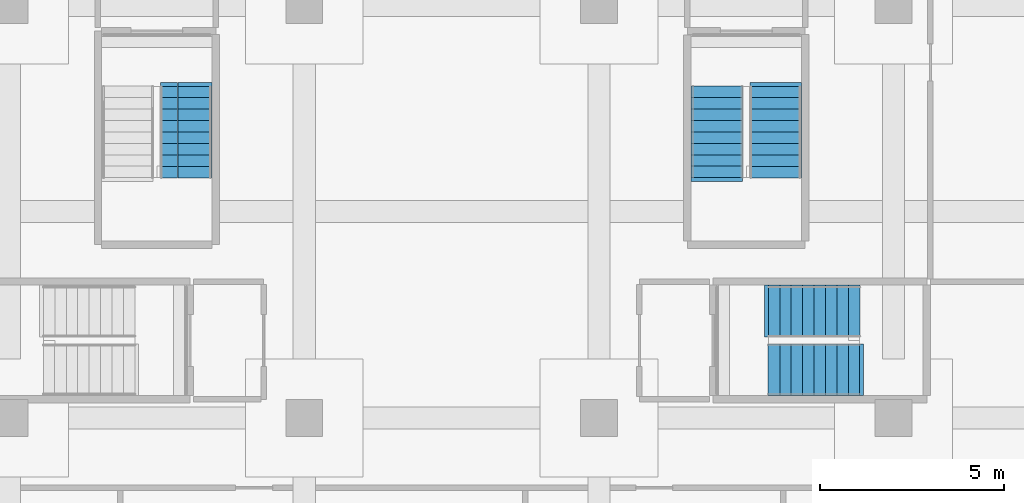
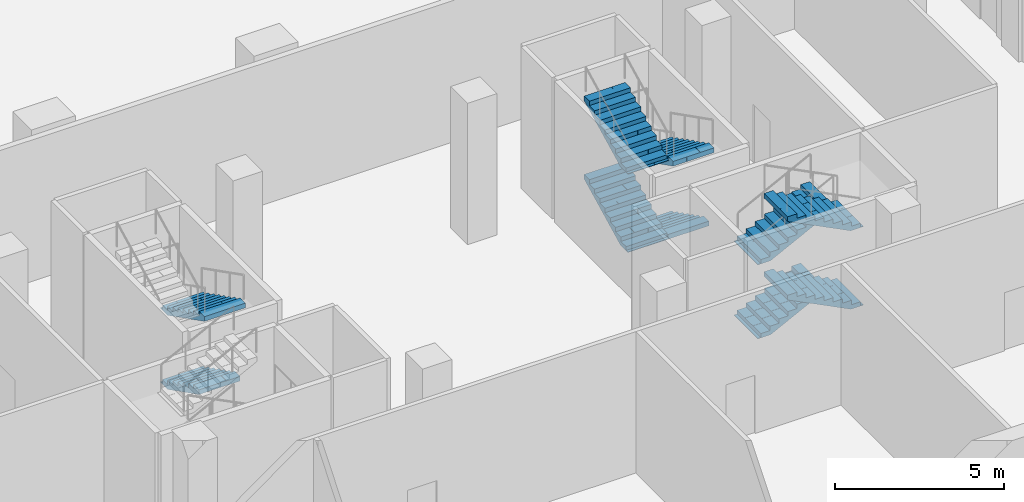
# One storey, part 12 of 20: 10 stair flights, 3 elements without a shape of their own.
"""IFC4 building model written with IfcOpenShell, lengths in metres."""

from ifc_helpers import new_model, si_unit, direction, frame, origin, place, context, subcontext, project, spatial, polyline, outline, extrude, material, type_object, element, aggregate, save


model = new_model("IFC4")

# Units and contexts
model_context = context("Model", 3, precision=1e-05, world=origin(), true_north=direction((0.0, 1.0)))
body_context = subcontext(model_context, "Body", "Model", "MODEL_VIEW")
ifc_project = project(units=[si_unit("LENGTHUNIT", "METRE"), si_unit("AREAUNIT", "SQUARE_METRE"), si_unit("VOLUMEUNIT", "CUBIC_METRE"), si_unit("PLANEANGLEUNIT", "RADIAN"), si_unit("MASSUNIT", "GRAM", prefix="KILO")], contexts=[model_context])

# Site, building, storey
site_placement = place(None, origin())
site = spatial("IfcSite", under=ifc_project, at=site_placement, CompositionType="ELEMENT")
building_placement = place(site_placement, origin())
building = spatial("IfcBuilding", under=site, at=building_placement, Name="Triada Interchange Tower", CompositionType="ELEMENT")
storey_placement = place(building_placement, frame((0.0, 0.0, -5.5)))
storey = spatial("IfcBuildingStorey", under=building, at=storey_placement, Name="B1", CompositionType="ELEMENT", Elevation=-5.5)

# Stair, stair flights
ifc_material = material(Name="Concrete C35/45", Category="concrete")
stair_type = type_object("IfcStairType", Name="HALF TURN STAIR 1400", PredefinedType="HALF_TURN_STAIR", material=ifc_material)
stair_1_placement = place(storey_placement, origin())
stair_1 = element("IfcStair", 1, at=stair_1_placement, inside=storey, type_object=stair_type, Name="Exit stair SB1-5", PredefinedType="HALF_TURN_STAIR")
stair_flight_type = type_object("IfcStairFlightType", Name="STRAIGHT STAIR FLIGHT 1400", PredefinedType="STRAIGHT", material=ifc_material)
stair_flight_1_placement = place(storey_placement, frame((8.60009765625, -35.199951171875, 0.0), z_axis=(0.0, 0.0, 1.0), x_axis=(1.0, 0.0, 0.0)))
stair_flight_1 = element("IfcStairFlight", 2, at=stair_flight_1_placement, type_object=stair_flight_type, Name="SB1-5 flight 1", NumberOfRisers=8, NumberOfTreads=7, PredefinedType="STRAIGHT", RiserHeight=0.15714, TreadLength=0.31, context=body_context, shape_type="SweptSolid", body=[
    extrude(outline(polyline([(-0.10009765625, 0.0), (-0.10009765625, 0.02001953125), (0.0, 0.02001953125), (0.0, 0.1572265625), (0.31005859375, 0.1572265625), (0.31005859375, 0.314208984375), (0.6201171875, 0.314208984375), (0.6201171875, 0.471435546875), (0.929931640625, 0.471435546875), (0.929931640625, 0.628662109375), (1.239990234375, 0.628662109375), (1.239990234375, 0.78564453125), (1.550048828125, 0.78564453125), (1.550048828125, 0.94287109375), (1.860107421875, 0.94287109375), (1.860107421875, 1.10009765625), (2.169921875, 1.10009765625), (2.174072265625, 1.10009765625), (2.174072265625, 1.257080078125), (2.174072265625, 0.931884765625), (0.33154296875, 0.0), (-0.10009765625, 0.0)])), frame((0.0, 0.699951171875, 0.0), z_axis=(0.0, -1.0, 0.0), x_axis=(1.0, 0.0, 0.0)), (0.0, 0.0, 1.0), 0.46533203125),
    extrude(outline(polyline([(-0.10009765625, 0.0), (-0.10009765625, 0.02001953125), (0.0, 0.02001953125), (0.0, 0.1572265625), (0.31005859375, 0.1572265625), (0.31005859375, 0.314208984375), (0.6201171875, 0.314208984375), (0.6201171875, 0.471435546875), (0.929931640625, 0.471435546875), (0.929931640625, 0.628662109375), (1.239990234375, 0.628662109375), (1.239990234375, 0.78564453125), (1.550048828125, 0.78564453125), (1.550048828125, 0.94287109375), (1.860107421875, 0.94287109375), (1.860107421875, 1.10009765625), (2.169921875, 1.10009765625), (2.174072265625, 1.10009765625), (2.174072265625, 1.257080078125), (2.174072265625, 0.931884765625), (0.33154296875, 0.0), (-0.10009765625, 0.0)])), frame((0.0, 0.232666015625, 0.0), z_axis=(0.0, -1.0, 0.0), x_axis=(1.0, 0.0, 0.0)), (0.0, 0.0, 1.0), 0.46533203125),
    extrude(outline(polyline([(-0.10009765625, 0.0), (-0.10009765625, 0.02001953125), (0.0, 0.02001953125), (0.0, 0.1572265625), (0.31005859375, 0.1572265625), (0.31005859375, 0.314208984375), (0.6201171875, 0.314208984375), (0.6201171875, 0.471435546875), (0.929931640625, 0.471435546875), (0.929931640625, 0.628662109375), (1.239990234375, 0.628662109375), (1.239990234375, 0.78564453125), (1.550048828125, 0.78564453125), (1.550048828125, 0.94287109375), (1.860107421875, 0.94287109375), (1.860107421875, 1.10009765625), (2.169921875, 1.10009765625), (2.174072265625, 1.10009765625), (2.174072265625, 1.257080078125), (2.174072265625, 0.931884765625), (0.33154296875, 0.0), (-0.10009765625, 0.0)])), frame((0.0, -0.234619140625, 0.0), z_axis=(0.0, -1.0, 0.0), x_axis=(1.0, 0.0, 0.0)), (0.0, 0.0, 1.0), 0.46533203125),
])
stair_flight_2_placement = place(storey_placement, frame((11.080078125, -36.800048828125, 1.257080078125), z_axis=(0.0, 0.0, 1.0), x_axis=(-1.0, 0.0, 0.0)))
stair_flight_2 = element("IfcStairFlight", 3, at=stair_flight_2_placement, type_object=stair_flight_type, Name="SB1-5 flight 2", NumberOfRisers=9, NumberOfTreads=8, PredefinedType="STRAIGHT", RiserHeight=0.15714, TreadLength=0.31, context=body_context, shape_type="SweptSolid", body=[
    extrude(outline(polyline([(-0.10009765625, 0.0), (-0.10009765625, 0.02001953125), (0.0, 0.02001953125), (0.0, 0.1572265625), (0.31005859375, 0.1572265625), (0.31005859375, 0.314208984375), (0.6201171875, 0.314208984375), (0.6201171875, 0.471435546875), (0.929931640625, 0.471435546875), (0.929931640625, 0.628662109375), (1.239990234375, 0.628662109375), (1.239990234375, 0.78564453125), (1.550048828125, 0.78564453125), (1.550048828125, 0.94287109375), (1.860107421875, 0.94287109375), (1.860107421875, 1.10009765625), (2.169921875, 1.10009765625), (2.169921875, 1.257080078125), (2.47998046875, 1.257080078125), (2.48388671875, 1.257080078125), (2.48388671875, 1.414306640625), (2.48388671875, 1.089111328125), (0.33154296875, 0.0), (-0.10009765625, 0.0)])), frame((0.0, 0.699951171875, 0.0), z_axis=(0.0, -1.0, 0.0), x_axis=(1.0, 0.0, 0.0)), (0.0, 0.0, 1.0), 0.46533203125),
    extrude(outline(polyline([(-0.10009765625, 0.0), (-0.10009765625, 0.02001953125), (0.0, 0.02001953125), (0.0, 0.1572265625), (0.31005859375, 0.1572265625), (0.31005859375, 0.314208984375), (0.6201171875, 0.314208984375), (0.6201171875, 0.471435546875), (0.929931640625, 0.471435546875), (0.929931640625, 0.628662109375), (1.239990234375, 0.628662109375), (1.239990234375, 0.78564453125), (1.550048828125, 0.78564453125), (1.550048828125, 0.94287109375), (1.860107421875, 0.94287109375), (1.860107421875, 1.10009765625), (2.169921875, 1.10009765625), (2.169921875, 1.257080078125), (2.47998046875, 1.257080078125), (2.48388671875, 1.257080078125), (2.48388671875, 1.414306640625), (2.48388671875, 1.089111328125), (0.33154296875, 0.0), (-0.10009765625, 0.0)])), frame((0.0, 0.232666015625, 0.0), z_axis=(0.0, -1.0, 0.0), x_axis=(1.0, 0.0, 0.0)), (0.0, 0.0, 1.0), 0.46533203125),
    extrude(outline(polyline([(-0.10009765625, 0.0), (-0.10009765625, 0.02001953125), (0.0, 0.02001953125), (0.0, 0.1572265625), (0.31005859375, 0.1572265625), (0.31005859375, 0.314208984375), (0.6201171875, 0.314208984375), (0.6201171875, 0.471435546875), (0.929931640625, 0.471435546875), (0.929931640625, 0.628662109375), (1.239990234375, 0.628662109375), (1.239990234375, 0.78564453125), (1.550048828125, 0.78564453125), (1.550048828125, 0.94287109375), (1.860107421875, 0.94287109375), (1.860107421875, 1.10009765625), (2.169921875, 1.10009765625), (2.169921875, 1.257080078125), (2.47998046875, 1.257080078125), (2.48388671875, 1.257080078125), (2.48388671875, 1.414306640625), (2.48388671875, 1.089111328125), (0.33154296875, 0.0), (-0.10009765625, 0.0)])), frame((0.0, -0.234619140625, 0.0), z_axis=(0.0, -1.0, 0.0), x_axis=(1.0, 0.0, 0.0)), (0.0, 0.0, 1.0), 0.46533203125),
])
stair_flight_3_placement = place(storey_placement, frame((8.60009765625, -35.199951171875, 2.67138671875), z_axis=(0.0, 0.0, 1.0), x_axis=(1.0, 0.0, 0.0)))
stair_flight_3 = element("IfcStairFlight", 4, at=stair_flight_3_placement, type_object=stair_flight_type, Name="SB1-5 flight 3", NumberOfRisers=9, NumberOfTreads=8, PredefinedType="STRAIGHT", RiserHeight=0.15714, TreadLength=0.31, context=body_context, shape_type="SweptSolid", body=[
    extrude(outline(polyline([(-0.10009765625, 0.0), (-0.10009765625, 0.02001953125), (0.0, 0.02001953125), (0.0, 0.1572265625), (0.31005859375, 0.1572265625), (0.31005859375, 0.314208984375), (0.6201171875, 0.314208984375), (0.6201171875, 0.471435546875), (0.929931640625, 0.471435546875), (0.929931640625, 0.628662109375), (1.239990234375, 0.628662109375), (1.239990234375, 0.78564453125), (1.550048828125, 0.78564453125), (1.550048828125, 0.94287109375), (1.860107421875, 0.94287109375), (1.860107421875, 1.10009765625), (2.169921875, 1.10009765625), (2.169921875, 1.257080078125), (2.47998046875, 1.257080078125), (2.48388671875, 1.257080078125), (2.48388671875, 1.414306640625), (2.48388671875, 1.089111328125), (0.33154296875, 0.0), (-0.10009765625, 0.0)])), frame((0.0, 0.699951171875, 0.0), z_axis=(0.0, -1.0, 0.0), x_axis=(1.0, 0.0, 0.0)), (0.0, 0.0, 1.0), 0.46533203125),
    extrude(outline(polyline([(-0.10009765625, 0.0), (-0.10009765625, 0.02001953125), (0.0, 0.02001953125), (0.0, 0.1572265625), (0.31005859375, 0.1572265625), (0.31005859375, 0.314208984375), (0.6201171875, 0.314208984375), (0.6201171875, 0.471435546875), (0.929931640625, 0.471435546875), (0.929931640625, 0.628662109375), (1.239990234375, 0.628662109375), (1.239990234375, 0.78564453125), (1.550048828125, 0.78564453125), (1.550048828125, 0.94287109375), (1.860107421875, 0.94287109375), (1.860107421875, 1.10009765625), (2.169921875, 1.10009765625), (2.169921875, 1.257080078125), (2.47998046875, 1.257080078125), (2.48388671875, 1.257080078125), (2.48388671875, 1.414306640625), (2.48388671875, 1.089111328125), (0.33154296875, 0.0), (-0.10009765625, 0.0)])), frame((0.0, 0.232666015625, 0.0), z_axis=(0.0, -1.0, 0.0), x_axis=(1.0, 0.0, 0.0)), (0.0, 0.0, 1.0), 0.46533203125),
    extrude(outline(polyline([(-0.10009765625, 0.0), (-0.10009765625, 0.02001953125), (0.0, 0.02001953125), (0.0, 0.1572265625), (0.31005859375, 0.1572265625), (0.31005859375, 0.314208984375), (0.6201171875, 0.314208984375), (0.6201171875, 0.471435546875), (0.929931640625, 0.471435546875), (0.929931640625, 0.628662109375), (1.239990234375, 0.628662109375), (1.239990234375, 0.78564453125), (1.550048828125, 0.78564453125), (1.550048828125, 0.94287109375), (1.860107421875, 0.94287109375), (1.860107421875, 1.10009765625), (2.169921875, 1.10009765625), (2.169921875, 1.257080078125), (2.47998046875, 1.257080078125), (2.48388671875, 1.257080078125), (2.48388671875, 1.414306640625), (2.48388671875, 1.089111328125), (0.33154296875, 0.0), (-0.10009765625, 0.0)])), frame((0.0, -0.234619140625, 0.0), z_axis=(0.0, -1.0, 0.0), x_axis=(1.0, 0.0, 0.0)), (0.0, 0.0, 1.0), 0.46533203125),
])
stair_flight_4_placement = place(storey_placement, frame((11.080078125, -36.800048828125, 4.085693359375), z_axis=(0.0, 0.0, 1.0), x_axis=(-1.0, 0.0, 0.0)))
stair_flight_4 = element("IfcStairFlight", 5, at=stair_flight_4_placement, type_object=stair_flight_type, Name="SB1-5 flight 4", NumberOfRisers=9, NumberOfTreads=8, PredefinedType="STRAIGHT", RiserHeight=0.15714, TreadLength=0.31, context=body_context, shape_type="SweptSolid", body=[
    extrude(outline(polyline([(-0.10009765625, 0.0), (-0.10009765625, 0.02001953125), (0.0, 0.02001953125), (0.0, 0.1572265625), (0.31005859375, 0.1572265625), (0.31005859375, 0.314208984375), (0.6201171875, 0.314208984375), (0.6201171875, 0.471435546875), (0.929931640625, 0.471435546875), (0.929931640625, 0.628662109375), (1.239990234375, 0.628662109375), (1.239990234375, 0.78564453125), (1.550048828125, 0.78564453125), (1.550048828125, 0.94287109375), (1.860107421875, 0.94287109375), (1.860107421875, 1.10009765625), (2.169921875, 1.10009765625), (2.169921875, 1.257080078125), (2.47998046875, 1.257080078125), (2.48388671875, 1.257080078125), (2.48388671875, 1.414306640625), (2.48388671875, 1.089111328125), (0.33154296875, 0.0), (-0.10009765625, 0.0)])), frame((0.0, 0.699951171875, 0.0), z_axis=(0.0, -1.0, 0.0), x_axis=(1.0, 0.0, 0.0)), (0.0, 0.0, 1.0), 0.46533203125),
    extrude(outline(polyline([(-0.10009765625, 0.0), (-0.10009765625, 0.02001953125), (0.0, 0.02001953125), (0.0, 0.1572265625), (0.31005859375, 0.1572265625), (0.31005859375, 0.314208984375), (0.6201171875, 0.314208984375), (0.6201171875, 0.471435546875), (0.929931640625, 0.471435546875), (0.929931640625, 0.628662109375), (1.239990234375, 0.628662109375), (1.239990234375, 0.78564453125), (1.550048828125, 0.78564453125), (1.550048828125, 0.94287109375), (1.860107421875, 0.94287109375), (1.860107421875, 1.10009765625), (2.169921875, 1.10009765625), (2.169921875, 1.257080078125), (2.47998046875, 1.257080078125), (2.48388671875, 1.257080078125), (2.48388671875, 1.414306640625), (2.48388671875, 1.089111328125), (0.33154296875, 0.0), (-0.10009765625, 0.0)])), frame((0.0, 0.232666015625, 0.0), z_axis=(0.0, -1.0, 0.0), x_axis=(1.0, 0.0, 0.0)), (0.0, 0.0, 1.0), 0.46533203125),
    extrude(outline(polyline([(-0.10009765625, 0.0), (-0.10009765625, 0.02001953125), (0.0, 0.02001953125), (0.0, 0.1572265625), (0.31005859375, 0.1572265625), (0.31005859375, 0.314208984375), (0.6201171875, 0.314208984375), (0.6201171875, 0.471435546875), (0.929931640625, 0.471435546875), (0.929931640625, 0.628662109375), (1.239990234375, 0.628662109375), (1.239990234375, 0.78564453125), (1.550048828125, 0.78564453125), (1.550048828125, 0.94287109375), (1.860107421875, 0.94287109375), (1.860107421875, 1.10009765625), (2.169921875, 1.10009765625), (2.169921875, 1.257080078125), (2.47998046875, 1.257080078125), (2.48388671875, 1.257080078125), (2.48388671875, 1.414306640625), (2.48388671875, 1.089111328125), (0.33154296875, 0.0), (-0.10009765625, 0.0)])), frame((0.0, -0.234619140625, 0.0), z_axis=(0.0, -1.0, 0.0), x_axis=(1.0, 0.0, 0.0)), (0.0, 0.0, 1.0), 0.46533203125),
])
aggregate(stair_1, [stair_flight_1, stair_flight_2, stair_flight_3, stair_flight_4])

stair_2_placement = place(storey_placement, origin())
stair_2 = element("IfcStair", 6, at=stair_2_placement, inside=storey, type_object=stair_type, Name="Exit stair SB1-10", PredefinedType="HALF_TURN_STAIR")
stair_flight_5_placement = place(storey_placement, frame((8.800048828125, -29.10009765625, 0.0), z_axis=(0.0, 0.0, 1.0), x_axis=(0.0, -1.0, 0.0)))
stair_flight_5 = element("IfcStairFlight", 7, at=stair_flight_5_placement, type_object=stair_flight_type, Name="SB1-10 flight 1", NumberOfRisers=8, NumberOfTreads=7, PredefinedType="STRAIGHT", RiserHeight=0.15714, TreadLength=0.31, context=body_context, shape_type="SweptSolid", body=[
    extrude(outline(polyline([(-0.10009765625, 0.0), (-0.10009765625, 0.02001953125), (0.0, 0.02001953125), (0.0, 0.1572265625), (0.31005859375, 0.1572265625), (0.31005859375, 0.314208984375), (0.6201171875, 0.314208984375), (0.6201171875, 0.471435546875), (0.929931640625, 0.471435546875), (0.929931640625, 0.628662109375), (1.239990234375, 0.628662109375), (1.239990234375, 0.78564453125), (1.550048828125, 0.78564453125), (1.550048828125, 0.94287109375), (1.860107421875, 0.94287109375), (1.860107421875, 1.10009765625), (2.169921875, 1.10009765625), (2.174072265625, 1.10009765625), (2.174072265625, 1.257080078125), (2.174072265625, 0.931884765625), (0.33154296875, 0.0), (-0.10009765625, 0.0)])), frame((0.0, 0.699951171875, 0.0), z_axis=(0.0, -1.0, 0.0), x_axis=(1.0, 0.0, 0.0)), (0.0, 0.0, 1.0), 0.46533203125),
    extrude(outline(polyline([(-0.10009765625, 0.0), (-0.10009765625, 0.02001953125), (0.0, 0.02001953125), (0.0, 0.1572265625), (0.31005859375, 0.1572265625), (0.31005859375, 0.314208984375), (0.6201171875, 0.314208984375), (0.6201171875, 0.471435546875), (0.929931640625, 0.471435546875), (0.929931640625, 0.628662109375), (1.239990234375, 0.628662109375), (1.239990234375, 0.78564453125), (1.550048828125, 0.78564453125), (1.550048828125, 0.94287109375), (1.860107421875, 0.94287109375), (1.860107421875, 1.10009765625), (2.169921875, 1.10009765625), (2.174072265625, 1.10009765625), (2.174072265625, 1.257080078125), (2.174072265625, 0.931884765625), (0.33154296875, 0.0), (-0.10009765625, 0.0)])), frame((0.0, 0.232666015625, 0.0), z_axis=(0.0, -1.0, 0.0), x_axis=(1.0, 0.0, 0.0)), (0.0, 0.0, 1.0), 0.46533203125),
    extrude(outline(polyline([(-0.10009765625, 0.0), (-0.10009765625, 0.02001953125), (0.0, 0.02001953125), (0.0, 0.1572265625), (0.31005859375, 0.1572265625), (0.31005859375, 0.314208984375), (0.6201171875, 0.314208984375), (0.6201171875, 0.471435546875), (0.929931640625, 0.471435546875), (0.929931640625, 0.628662109375), (1.239990234375, 0.628662109375), (1.239990234375, 0.78564453125), (1.550048828125, 0.78564453125), (1.550048828125, 0.94287109375), (1.860107421875, 0.94287109375), (1.860107421875, 1.10009765625), (2.169921875, 1.10009765625), (2.174072265625, 1.10009765625), (2.174072265625, 1.257080078125), (2.174072265625, 0.931884765625), (0.33154296875, 0.0), (-0.10009765625, 0.0)])), frame((0.0, -0.234619140625, 0.0), z_axis=(0.0, -1.0, 0.0), x_axis=(1.0, 0.0, 0.0)), (0.0, 0.0, 1.0), 0.46533203125),
])
stair_flight_6_placement = place(storey_placement, frame((7.199951171875, -31.580078125, 1.257080078125), z_axis=(0.0, 0.0, 1.0), x_axis=(0.0, 1.0, 0.0)))
stair_flight_6 = element("IfcStairFlight", 8, at=stair_flight_6_placement, type_object=stair_flight_type, Name="SB1-10 flight 2", NumberOfRisers=9, NumberOfTreads=8, PredefinedType="STRAIGHT", RiserHeight=0.15714, TreadLength=0.31, context=body_context, shape_type="SweptSolid", body=[
    extrude(outline(polyline([(-0.10009765625, 0.0), (-0.10009765625, 0.02001953125), (0.0, 0.02001953125), (0.0, 0.1572265625), (0.31005859375, 0.1572265625), (0.31005859375, 0.314208984375), (0.6201171875, 0.314208984375), (0.6201171875, 0.471435546875), (0.929931640625, 0.471435546875), (0.929931640625, 0.628662109375), (1.239990234375, 0.628662109375), (1.239990234375, 0.78564453125), (1.550048828125, 0.78564453125), (1.550048828125, 0.94287109375), (1.860107421875, 0.94287109375), (1.860107421875, 1.10009765625), (2.169921875, 1.10009765625), (2.169921875, 1.257080078125), (2.47998046875, 1.257080078125), (2.48388671875, 1.257080078125), (2.48388671875, 1.414306640625), (2.48388671875, 1.089111328125), (0.33154296875, 0.0), (-0.10009765625, 0.0)])), frame((0.0, 0.699951171875, 0.0), z_axis=(0.0, -1.0, 0.0), x_axis=(1.0, 0.0, 0.0)), (0.0, 0.0, 1.0), 0.46533203125),
    extrude(outline(polyline([(-0.10009765625, 0.0), (-0.10009765625, 0.02001953125), (0.0, 0.02001953125), (0.0, 0.1572265625), (0.31005859375, 0.1572265625), (0.31005859375, 0.314208984375), (0.6201171875, 0.314208984375), (0.6201171875, 0.471435546875), (0.929931640625, 0.471435546875), (0.929931640625, 0.628662109375), (1.239990234375, 0.628662109375), (1.239990234375, 0.78564453125), (1.550048828125, 0.78564453125), (1.550048828125, 0.94287109375), (1.860107421875, 0.94287109375), (1.860107421875, 1.10009765625), (2.169921875, 1.10009765625), (2.169921875, 1.257080078125), (2.47998046875, 1.257080078125), (2.48388671875, 1.257080078125), (2.48388671875, 1.414306640625), (2.48388671875, 1.089111328125), (0.33154296875, 0.0), (-0.10009765625, 0.0)])), frame((0.0, 0.232666015625, 0.0), z_axis=(0.0, -1.0, 0.0), x_axis=(1.0, 0.0, 0.0)), (0.0, 0.0, 1.0), 0.46533203125),
    extrude(outline(polyline([(-0.10009765625, 0.0), (-0.10009765625, 0.02001953125), (0.0, 0.02001953125), (0.0, 0.1572265625), (0.31005859375, 0.1572265625), (0.31005859375, 0.314208984375), (0.6201171875, 0.314208984375), (0.6201171875, 0.471435546875), (0.929931640625, 0.471435546875), (0.929931640625, 0.628662109375), (1.239990234375, 0.628662109375), (1.239990234375, 0.78564453125), (1.550048828125, 0.78564453125), (1.550048828125, 0.94287109375), (1.860107421875, 0.94287109375), (1.860107421875, 1.10009765625), (2.169921875, 1.10009765625), (2.169921875, 1.257080078125), (2.47998046875, 1.257080078125), (2.48388671875, 1.257080078125), (2.48388671875, 1.414306640625), (2.48388671875, 1.089111328125), (0.33154296875, 0.0), (-0.10009765625, 0.0)])), frame((0.0, -0.234619140625, 0.0), z_axis=(0.0, -1.0, 0.0), x_axis=(1.0, 0.0, 0.0)), (0.0, 0.0, 1.0), 0.46533203125),
])
stair_flight_7_placement = place(storey_placement, frame((8.800048828125, -29.10009765625, 2.67138671875), z_axis=(0.0, 0.0, 1.0), x_axis=(0.0, -1.0, 0.0)))
stair_flight_7 = element("IfcStairFlight", 9, at=stair_flight_7_placement, type_object=stair_flight_type, Name="SB1-10 flight 3", NumberOfRisers=9, NumberOfTreads=8, PredefinedType="STRAIGHT", RiserHeight=0.15714, TreadLength=0.31, context=body_context, shape_type="SweptSolid", body=[
    extrude(outline(polyline([(-0.10009765625, 0.0), (-0.10009765625, 0.02001953125), (0.0, 0.02001953125), (0.0, 0.1572265625), (0.31005859375, 0.1572265625), (0.31005859375, 0.314208984375), (0.6201171875, 0.314208984375), (0.6201171875, 0.471435546875), (0.929931640625, 0.471435546875), (0.929931640625, 0.628662109375), (1.239990234375, 0.628662109375), (1.239990234375, 0.78564453125), (1.550048828125, 0.78564453125), (1.550048828125, 0.94287109375), (1.860107421875, 0.94287109375), (1.860107421875, 1.10009765625), (2.169921875, 1.10009765625), (2.169921875, 1.257080078125), (2.47998046875, 1.257080078125), (2.48388671875, 1.257080078125), (2.48388671875, 1.414306640625), (2.48388671875, 1.089111328125), (0.33154296875, 0.0), (-0.10009765625, 0.0)])), frame((0.0, 0.699951171875, 0.0), z_axis=(0.0, -1.0, 0.0), x_axis=(1.0, 0.0, 0.0)), (0.0, 0.0, 1.0), 0.46533203125),
    extrude(outline(polyline([(-0.10009765625, 0.0), (-0.10009765625, 0.02001953125), (0.0, 0.02001953125), (0.0, 0.1572265625), (0.31005859375, 0.1572265625), (0.31005859375, 0.314208984375), (0.6201171875, 0.314208984375), (0.6201171875, 0.471435546875), (0.929931640625, 0.471435546875), (0.929931640625, 0.628662109375), (1.239990234375, 0.628662109375), (1.239990234375, 0.78564453125), (1.550048828125, 0.78564453125), (1.550048828125, 0.94287109375), (1.860107421875, 0.94287109375), (1.860107421875, 1.10009765625), (2.169921875, 1.10009765625), (2.169921875, 1.257080078125), (2.47998046875, 1.257080078125), (2.48388671875, 1.257080078125), (2.48388671875, 1.414306640625), (2.48388671875, 1.089111328125), (0.33154296875, 0.0), (-0.10009765625, 0.0)])), frame((0.0, 0.232666015625, 0.0), z_axis=(0.0, -1.0, 0.0), x_axis=(1.0, 0.0, 0.0)), (0.0, 0.0, 1.0), 0.46533203125),
    extrude(outline(polyline([(-0.10009765625, 0.0), (-0.10009765625, 0.02001953125), (0.0, 0.02001953125), (0.0, 0.1572265625), (0.31005859375, 0.1572265625), (0.31005859375, 0.314208984375), (0.6201171875, 0.314208984375), (0.6201171875, 0.471435546875), (0.929931640625, 0.471435546875), (0.929931640625, 0.628662109375), (1.239990234375, 0.628662109375), (1.239990234375, 0.78564453125), (1.550048828125, 0.78564453125), (1.550048828125, 0.94287109375), (1.860107421875, 0.94287109375), (1.860107421875, 1.10009765625), (2.169921875, 1.10009765625), (2.169921875, 1.257080078125), (2.47998046875, 1.257080078125), (2.48388671875, 1.257080078125), (2.48388671875, 1.414306640625), (2.48388671875, 1.089111328125), (0.33154296875, 0.0), (-0.10009765625, 0.0)])), frame((0.0, -0.234619140625, 0.0), z_axis=(0.0, -1.0, 0.0), x_axis=(1.0, 0.0, 0.0)), (0.0, 0.0, 1.0), 0.46533203125),
])
stair_flight_8_placement = place(storey_placement, frame((7.199951171875, -31.580078125, 4.085693359375), z_axis=(0.0, 0.0, 1.0), x_axis=(0.0, 1.0, 0.0)))
stair_flight_8 = element("IfcStairFlight", 10, at=stair_flight_8_placement, type_object=stair_flight_type, Name="SB1-10 flight 4", NumberOfRisers=9, NumberOfTreads=8, PredefinedType="STRAIGHT", RiserHeight=0.15714, TreadLength=0.31, context=body_context, shape_type="SweptSolid", body=[
    extrude(outline(polyline([(-0.10009765625, 0.0), (-0.10009765625, 0.02001953125), (0.0, 0.02001953125), (0.0, 0.1572265625), (0.31005859375, 0.1572265625), (0.31005859375, 0.314208984375), (0.6201171875, 0.314208984375), (0.6201171875, 0.471435546875), (0.929931640625, 0.471435546875), (0.929931640625, 0.628662109375), (1.239990234375, 0.628662109375), (1.239990234375, 0.78564453125), (1.550048828125, 0.78564453125), (1.550048828125, 0.94287109375), (1.860107421875, 0.94287109375), (1.860107421875, 1.10009765625), (2.169921875, 1.10009765625), (2.169921875, 1.257080078125), (2.47998046875, 1.257080078125), (2.48388671875, 1.257080078125), (2.48388671875, 1.414306640625), (2.48388671875, 1.089111328125), (0.33154296875, 0.0), (-0.10009765625, 0.0)])), frame((0.0, 0.699951171875, 0.0), z_axis=(0.0, -1.0, 0.0), x_axis=(1.0, 0.0, 0.0)), (0.0, 0.0, 1.0), 0.46533203125),
    extrude(outline(polyline([(-0.10009765625, 0.0), (-0.10009765625, 0.02001953125), (0.0, 0.02001953125), (0.0, 0.1572265625), (0.31005859375, 0.1572265625), (0.31005859375, 0.314208984375), (0.6201171875, 0.314208984375), (0.6201171875, 0.471435546875), (0.929931640625, 0.471435546875), (0.929931640625, 0.628662109375), (1.239990234375, 0.628662109375), (1.239990234375, 0.78564453125), (1.550048828125, 0.78564453125), (1.550048828125, 0.94287109375), (1.860107421875, 0.94287109375), (1.860107421875, 1.10009765625), (2.169921875, 1.10009765625), (2.169921875, 1.257080078125), (2.47998046875, 1.257080078125), (2.48388671875, 1.257080078125), (2.48388671875, 1.414306640625), (2.48388671875, 1.089111328125), (0.33154296875, 0.0), (-0.10009765625, 0.0)])), frame((0.0, 0.232666015625, 0.0), z_axis=(0.0, -1.0, 0.0), x_axis=(1.0, 0.0, 0.0)), (0.0, 0.0, 1.0), 0.46533203125),
    extrude(outline(polyline([(-0.10009765625, 0.0), (-0.10009765625, 0.02001953125), (0.0, 0.02001953125), (0.0, 0.1572265625), (0.31005859375, 0.1572265625), (0.31005859375, 0.314208984375), (0.6201171875, 0.314208984375), (0.6201171875, 0.471435546875), (0.929931640625, 0.471435546875), (0.929931640625, 0.628662109375), (1.239990234375, 0.628662109375), (1.239990234375, 0.78564453125), (1.550048828125, 0.78564453125), (1.550048828125, 0.94287109375), (1.860107421875, 0.94287109375), (1.860107421875, 1.10009765625), (2.169921875, 1.10009765625), (2.169921875, 1.257080078125), (2.47998046875, 1.257080078125), (2.48388671875, 1.257080078125), (2.48388671875, 1.414306640625), (2.48388671875, 1.089111328125), (0.33154296875, 0.0), (-0.10009765625, 0.0)])), frame((0.0, -0.234619140625, 0.0), z_axis=(0.0, -1.0, 0.0), x_axis=(1.0, 0.0, 0.0)), (0.0, 0.0, 1.0), 0.46533203125),
])
aggregate(stair_2, [stair_flight_5, stair_flight_6, stair_flight_7, stair_flight_8])

stair_3_placement = place(storey_placement, origin())
stair_3 = element("IfcStair", 11, at=stair_3_placement, inside=storey, type_object=stair_type, Name="Exit stair SB1-11", PredefinedType="HALF_TURN_STAIR")
stair_flight_9_placement = place(storey_placement, frame((-7.199951171875, -29.10009765625, 0.0), z_axis=(0.0, 0.0, 1.0), x_axis=(0.0, -1.0, 0.0)))
stair_flight_9 = element("IfcStairFlight", 12, at=stair_flight_9_placement, type_object=stair_flight_type, Name="SB1-11 flight 1", NumberOfRisers=8, NumberOfTreads=7, PredefinedType="STRAIGHT", RiserHeight=0.15714, TreadLength=0.31, context=body_context, shape_type="SweptSolid", body=[
    extrude(outline(polyline([(-0.10009765625, 0.0), (-0.10009765625, 0.02001953125), (0.0, 0.02001953125), (0.0, 0.1572265625), (0.31005859375, 0.1572265625), (0.31005859375, 0.314208984375), (0.6201171875, 0.314208984375), (0.6201171875, 0.471435546875), (0.929931640625, 0.471435546875), (0.929931640625, 0.628662109375), (1.239990234375, 0.628662109375), (1.239990234375, 0.78564453125), (1.550048828125, 0.78564453125), (1.550048828125, 0.94287109375), (1.860107421875, 0.94287109375), (1.860107421875, 1.10009765625), (2.169921875, 1.10009765625), (2.174072265625, 1.10009765625), (2.174072265625, 1.257080078125), (2.174072265625, 0.931884765625), (0.33154296875, 0.0), (-0.10009765625, 0.0)])), frame((0.0, 0.699951171875, 0.0), z_axis=(0.0, -1.0, 0.0), x_axis=(1.0, 0.0, 0.0)), (0.0, 0.0, 1.0), 0.46533203125),
    extrude(outline(polyline([(-0.10009765625, 0.0), (-0.10009765625, 0.02001953125), (0.0, 0.02001953125), (0.0, 0.1572265625), (0.31005859375, 0.1572265625), (0.31005859375, 0.314208984375), (0.6201171875, 0.314208984375), (0.6201171875, 0.471435546875), (0.929931640625, 0.471435546875), (0.929931640625, 0.628662109375), (1.239990234375, 0.628662109375), (1.239990234375, 0.78564453125), (1.550048828125, 0.78564453125), (1.550048828125, 0.94287109375), (1.860107421875, 0.94287109375), (1.860107421875, 1.10009765625), (2.169921875, 1.10009765625), (2.174072265625, 1.10009765625), (2.174072265625, 1.257080078125), (2.174072265625, 0.931884765625), (0.33154296875, 0.0), (-0.10009765625, 0.0)])), frame((0.0, 0.232666015625, 0.0), z_axis=(0.0, -1.0, 0.0), x_axis=(1.0, 0.0, 0.0)), (0.0, 0.0, 1.0), 0.46533203125),
    extrude(outline(polyline([(-0.10009765625, 0.0), (-0.10009765625, 0.02001953125), (0.0, 0.02001953125), (0.0, 0.1572265625), (0.31005859375, 0.1572265625), (0.31005859375, 0.314208984375), (0.6201171875, 0.314208984375), (0.6201171875, 0.471435546875), (0.929931640625, 0.471435546875), (0.929931640625, 0.628662109375), (1.239990234375, 0.628662109375), (1.239990234375, 0.78564453125), (1.550048828125, 0.78564453125), (1.550048828125, 0.94287109375), (1.860107421875, 0.94287109375), (1.860107421875, 1.10009765625), (2.169921875, 1.10009765625), (2.174072265625, 1.10009765625), (2.174072265625, 1.257080078125), (2.174072265625, 0.931884765625), (0.33154296875, 0.0), (-0.10009765625, 0.0)])), frame((0.0, -0.234619140625, 0.0), z_axis=(0.0, -1.0, 0.0), x_axis=(1.0, 0.0, 0.0)), (0.0, 0.0, 1.0), 0.46533203125),
])
stair_flight_10_placement = place(storey_placement, frame((-7.199951171875, -29.10009765625, 2.67138671875), z_axis=(0.0, 0.0, 1.0), x_axis=(0.0, -1.0, 0.0)))
stair_flight_10 = element("IfcStairFlight", 13, at=stair_flight_10_placement, type_object=stair_flight_type, Name="SB1-11 flight 3", NumberOfRisers=9, NumberOfTreads=8, PredefinedType="STRAIGHT", RiserHeight=0.15714, TreadLength=0.31, context=body_context, shape_type="SweptSolid", body=[
    extrude(outline(polyline([(-0.10009765625, 0.0), (-0.10009765625, 0.02001953125), (0.0, 0.02001953125), (0.0, 0.1572265625), (0.31005859375, 0.1572265625), (0.31005859375, 0.314208984375), (0.6201171875, 0.314208984375), (0.6201171875, 0.471435546875), (0.929931640625, 0.471435546875), (0.929931640625, 0.628662109375), (1.239990234375, 0.628662109375), (1.239990234375, 0.78564453125), (1.550048828125, 0.78564453125), (1.550048828125, 0.94287109375), (1.860107421875, 0.94287109375), (1.860107421875, 1.10009765625), (2.169921875, 1.10009765625), (2.169921875, 1.257080078125), (2.47998046875, 1.257080078125), (2.48388671875, 1.257080078125), (2.48388671875, 1.414306640625), (2.48388671875, 1.089111328125), (0.33154296875, 0.0), (-0.10009765625, 0.0)])), frame((0.0, 0.699951171875, 0.0), z_axis=(0.0, -1.0, 0.0), x_axis=(1.0, 0.0, 0.0)), (0.0, 0.0, 1.0), 0.46533203125),
    extrude(outline(polyline([(-0.10009765625, 0.0), (-0.10009765625, 0.02001953125), (0.0, 0.02001953125), (0.0, 0.1572265625), (0.31005859375, 0.1572265625), (0.31005859375, 0.314208984375), (0.6201171875, 0.314208984375), (0.6201171875, 0.471435546875), (0.929931640625, 0.471435546875), (0.929931640625, 0.628662109375), (1.239990234375, 0.628662109375), (1.239990234375, 0.78564453125), (1.550048828125, 0.78564453125), (1.550048828125, 0.94287109375), (1.860107421875, 0.94287109375), (1.860107421875, 1.10009765625), (2.169921875, 1.10009765625), (2.169921875, 1.257080078125), (2.47998046875, 1.257080078125), (2.48388671875, 1.257080078125), (2.48388671875, 1.414306640625), (2.48388671875, 1.089111328125), (0.33154296875, 0.0), (-0.10009765625, 0.0)])), frame((0.0, 0.232666015625, 0.0), z_axis=(0.0, -1.0, 0.0), x_axis=(1.0, 0.0, 0.0)), (0.0, 0.0, 1.0), 0.46533203125),
    extrude(outline(polyline([(-0.10009765625, 0.0), (-0.10009765625, 0.02001953125), (0.0, 0.02001953125), (0.0, 0.1572265625), (0.31005859375, 0.1572265625), (0.31005859375, 0.314208984375), (0.6201171875, 0.314208984375), (0.6201171875, 0.471435546875), (0.929931640625, 0.471435546875), (0.929931640625, 0.628662109375), (1.239990234375, 0.628662109375), (1.239990234375, 0.78564453125), (1.550048828125, 0.78564453125), (1.550048828125, 0.94287109375), (1.860107421875, 0.94287109375), (1.860107421875, 1.10009765625), (2.169921875, 1.10009765625), (2.169921875, 1.257080078125), (2.47998046875, 1.257080078125), (2.48388671875, 1.257080078125), (2.48388671875, 1.414306640625), (2.48388671875, 1.089111328125), (0.33154296875, 0.0), (-0.10009765625, 0.0)])), frame((0.0, -0.234619140625, 0.0), z_axis=(0.0, -1.0, 0.0), x_axis=(1.0, 0.0, 0.0)), (0.0, 0.0, 1.0), 0.46533203125),
])
aggregate(stair_3, [stair_flight_9, stair_flight_10])

save(model, "model.ifc")
